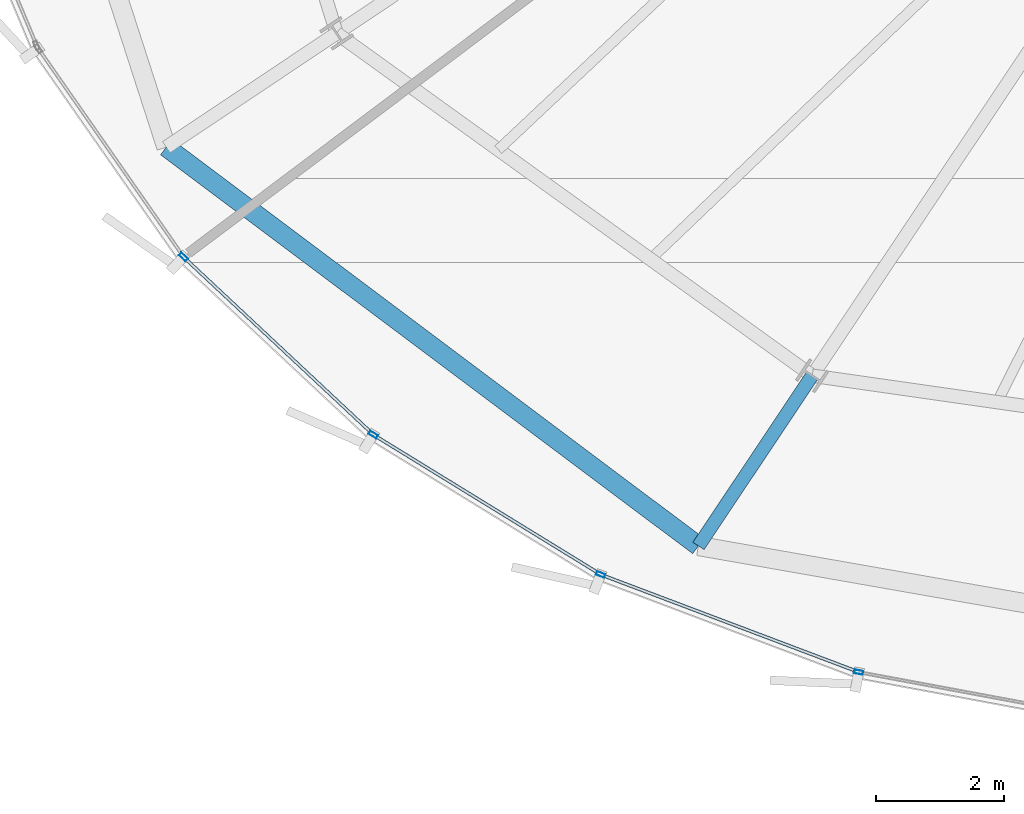
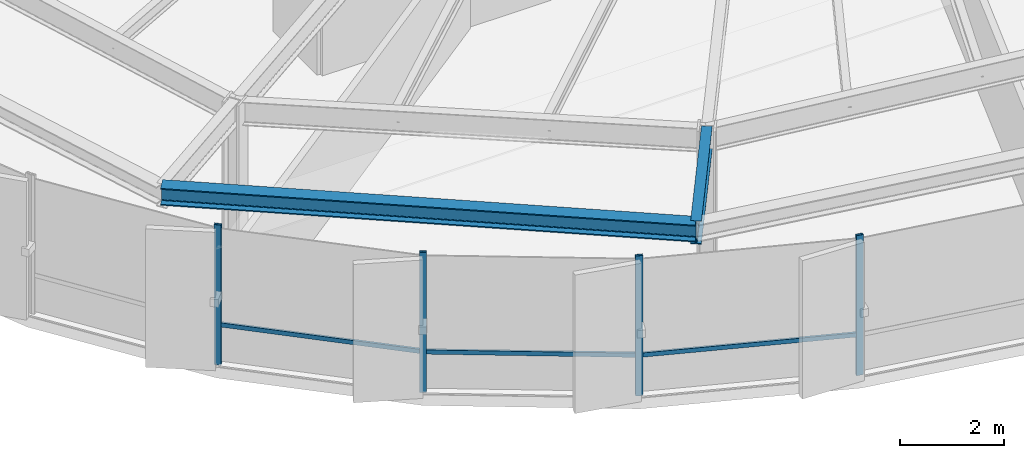
# One storey, part 2 of 36: 7 members, 2 beams, 1 element without a shape of its own.
"""IFC4 building model written with IfcOpenShell, lengths in metres."""

from ifc_helpers import new_model, si_unit, direction, frame, origin, origin_2d, place, context, subcontext, project, spatial, hollow_rectangle, i_section, extrude, source, transform, mapped, material, layer, layer_set, material_profile, profile_set, type_object, element, aggregate, save


model = new_model("IFC4")

# Units and contexts
model_context = context("Model", 3, precision=1e-05, world=origin(), true_north=direction((0.0, 1.0)))
body_context = subcontext(model_context, "Body", "Model", "MODEL_VIEW")
ifc_project = project(units=[si_unit("LENGTHUNIT", "METRE"), si_unit("AREAUNIT", "SQUARE_METRE"), si_unit("VOLUMEUNIT", "CUBIC_METRE"), si_unit("PLANEANGLEUNIT", "RADIAN"), si_unit("MASSUNIT", "GRAM", prefix="KILO"), si_unit("THERMODYNAMICTEMPERATUREUNIT", "KELVIN")], contexts=[model_context])

# Site, building, storey
site_placement = place(None, origin())
site = spatial("IfcSite", under=ifc_project, at=site_placement, CompositionType="ELEMENT")
building_placement = place(site_placement, origin())
building = spatial("IfcBuilding", under=site, at=building_placement, Name="Kethvar Cultural Tower", CompositionType="ELEMENT")
storey_placement = place(building_placement, frame((0.0, 0.0, 150.10009765625)))
storey = spatial("IfcBuildingStorey", under=building, at=storey_placement, Name="L38", CompositionType="ELEMENT", Elevation=150.10009765625)

# Beams
ifc_material_1 = material(Name="Steel S355J2", Category="steel")
ifc_material_profile_1 = material_profile(ifc_material_1, i_section(OverallWidth=0.2099609375, OverallDepth=0.550048828125, WebThickness=0.010986328125, FlangeThickness=0.01708984375, FilletRadius=0.02392578125, at=origin_2d()), Name="Steel S355J2 — IPE550")
ifc_profile_set_1 = profile_set([ifc_material_profile_1], Name="Steel S355J2 — IPE550")
beam_type_1 = type_object("IfcBeamType", Name="BM-IPE550", PredefinedType="BEAM", material=ifc_profile_set_1)
shared_shape_1 = source(origin(), body_context, "Body", "SweptSolid", [
    extrude(i_section(OverallWidth=0.2099609375, OverallDepth=0.550048828125, WebThickness=0.010986328125, FlangeThickness=0.01708984375, FilletRadius=0.02392578125, at=origin_2d()), origin(), (0.0, 0.0, 1.0), 3.199951171875),
])
beam_1_placement = place(storey_placement, frame((34.350830078125, 9.16845703125, 3.02294921875), z_axis=(-0.555580212716, -0.831462943996, 0.0), x_axis=(0.831462943996, -0.555580212716, 0.0)))
element("IfcBeam", 1, at=beam_1_placement, inside=storey, type_object=beam_type_1, Name="L38 Perimeter Cantilever Beam RC-11", PredefinedType="BEAM", context=body_context, shape_type="MappedRepresentation", body=[
    mapped(shared_shape_1, transform((0.0, 0.0, 0.0), scale=1.0)),
])
ifc_material_profile_2 = material_profile(ifc_material_1, i_section(OverallWidth=0.300048828125, OverallDepth=0.39990234375, WebThickness=0.013427734375, FlangeThickness=0.02392578125, FilletRadius=0.027099609375, at=origin_2d()), Name="Steel S355J2 — HEB400")
ifc_profile_set_2 = profile_set([ifc_material_profile_2], Name="Steel S355J2 — HEB400")
beam_type_2 = type_object("IfcBeamType", Name="BM-SP400", PredefinedType="SPANDREL", material=ifc_profile_set_2)
shared_shape_2 = source(origin(), body_context, "Body", "SweptSolid", [
    extrude(i_section(OverallWidth=0.300048828125, OverallDepth=0.39990234375, WebThickness=0.013427734375, FlangeThickness=0.02392578125, FilletRadius=0.027099609375, at=origin_2d()), origin(), (0.0, 0.0, 1.0), 10.38916015625),
])
beam_2_placement = place(storey_placement, frame((24.260009765625, 12.7392578125, 3.097900390625), z_axis=(0.800152249906, -0.599796946449, 0.0), x_axis=(0.599796946449, 0.800152249906, 0.0)))
element("IfcBeam", 2, at=beam_2_placement, inside=storey, type_object=beam_type_2, Name="L38 Perimeter Spandrel Beam SP-10", PredefinedType="SPANDREL", context=body_context, shape_type="MappedRepresentation", body=[
    mapped(shared_shape_2, transform((0.0, 0.0, 0.0), scale=1.0)),
])

# Curtain wall, members
ifc_material_2 = material(Name="Aluminium 6063-T6", Category="aluminium")
ifc_layer = layer(ifc_material_2, 0.179931640625, Name="Aluminium 6063-T6", Category="aluminium")
ifc_layer_set = layer_set([ifc_layer], Name="Aluminium 6063-T6 (180 mm)")
curtain_wall_type = type_object("IfcCurtainWallType", Name="CW-SYS-04-Z34", PredefinedType="NOTDEFINED", material=ifc_layer_set)
curtain_wall_placement = place(storey_placement, origin())
curtain_wall = element("IfcCurtainWall", 3, at=curtain_wall_placement, inside=storey, type_object=curtain_wall_type, Name="L38 Curtain Wall Run 04", PredefinedType="NOTDEFINED")
ifc_material_profile_3 = material_profile(ifc_material_2, hollow_rectangle(XDim=0.06005859375, YDim=0.139892578125, WallThickness=0.0048828125, at=origin_2d()), Name="Aluminium 6063-T6 — RHS140x60x5")
ifc_profile_set_3 = profile_set([ifc_material_profile_3], Name="Aluminium 6063-T6 — RHS140x60x5")
member_type_1 = type_object("IfcMemberType", Name="CW-SYS-04-Z34-MUL", PredefinedType="MULLION", material=ifc_profile_set_3)
shared_shape_3 = source(origin(), body_context, "Body", "SweptSolid", [
    extrude(hollow_rectangle(XDim=0.06005859375, YDim=0.139892578125, WallThickness=0.0048828125, at=origin_2d()), origin(), (0.0, 0.0, 1.0), 3.2998046875),
])
member_1_placement = place(storey_placement, frame((24.527099609375, 11.0244140625, 0.0), z_axis=(0.0, 0.0, 1.0), x_axis=(0.683261029841, 0.730174201887, 0.0)))
member_1 = element("IfcMember", 4, at=member_1_placement, type_object=member_type_1, Name="CW-L38-R04 Mullion 2", PredefinedType="MULLION", context=body_context, shape_type="MappedRepresentation", body=[
    mapped(shared_shape_3, transform((0.0, 0.0, 0.0), scale=1.0)),
])
member_2_placement = place(storey_placement, frame((27.4921875, 8.24658203125, 0.0), z_axis=(0.0, 0.0, 1.0), x_axis=(0.523510130213, 0.852019450226, 0.0)))
member_2 = element("IfcMember", 5, at=member_2_placement, type_object=member_type_1, Name="CW-L38-R04 Mullion 3", PredefinedType="MULLION", context=body_context, shape_type="MappedRepresentation", body=[
    mapped(shared_shape_3, transform((0.0, 0.0, 0.0), scale=1.0)),
])
member_3_placement = place(storey_placement, frame((31.044677734375, 6.0615234375, 0.0), z_axis=(0.0, 0.0, 1.0), x_axis=(0.353442190407, 0.93545636886, 0.0)))
member_3 = element("IfcMember", 6, at=member_3_placement, type_object=member_type_1, Name="CW-L38-R04 Mullion 4", PredefinedType="MULLION", context=body_context, shape_type="MappedRepresentation", body=[
    mapped(shared_shape_3, transform((0.0, 0.0, 0.0), scale=1.0)),
])
member_4_placement = place(storey_placement, frame((35.076904296875, 4.5361328125, 0.0), z_axis=(0.0, 0.0, 1.0), x_axis=(0.183007715805, 0.983111476871, 0.0)))
member_4 = element("IfcMember", 7, at=member_4_placement, type_object=member_type_1, Name="CW-L38-R04 Mullion 5", PredefinedType="MULLION", context=body_context, shape_type="MappedRepresentation", body=[
    mapped(shared_shape_3, transform((0.0, 0.0, 0.0), scale=1.0)),
])
ifc_material_profile_4 = material_profile(ifc_material_2, hollow_rectangle(XDim=0.050048828125, YDim=0.10009765625, WallThickness=0.00390625, at=origin_2d()), Name="Aluminium 6063-T6 — RHS100x50x4")
ifc_profile_set_4 = profile_set([ifc_material_profile_4], Name="Aluminium 6063-T6 — RHS100x50x4")
member_type_2 = type_object("IfcMemberType", Name="CW-SYS-04-Z34-TRN", PredefinedType="USERDEFINED", material=ifc_profile_set_4)
shared_shape_4 = source(origin(), body_context, "Body", "SweptSolid", [
    extrude(hollow_rectangle(XDim=0.050048828125, YDim=0.10009765625, WallThickness=0.00390625, at=origin_2d()), origin(), (0.0, 0.0, 1.0), 4.244140625),
])
member_5_placement = place(storey_placement, frame((31.085205078125, 6.046142578125, 0.949951171875), z_axis=(0.935461105416, -0.353429653897, 0.0), x_axis=(0.353429653897, 0.935461105416, 0.0)))
member_5 = element("IfcMember", 8, at=member_5_placement, type_object=member_type_2, Name="CW-L38-R04 Transom 4", ObjectType="TRANSOM", PredefinedType="USERDEFINED", context=body_context, shape_type="MappedRepresentation", body=[
    mapped(shared_shape_4, transform((0.0, 0.0, 0.0), scale=1.0)),
])
shared_shape_5 = source(origin(), body_context, "Body", "SweptSolid", [
    extrude(hollow_rectangle(XDim=0.050048828125, YDim=0.10009765625, WallThickness=0.00390625, at=origin_2d()), origin(), (0.0, 0.0, 1.0), 4.10498046875),
])
member_6_placement = place(storey_placement, frame((27.529052734375, 8.22412109375, 0.949951171875), z_axis=(0.852003225807, -0.523536534747, 0.0), x_axis=(0.523536534747, 0.852003225807, 0.0)))
member_6 = element("IfcMember", 9, at=member_6_placement, type_object=member_type_2, Name="CW-L38-R04 Transom 3", ObjectType="TRANSOM", PredefinedType="USERDEFINED", context=body_context, shape_type="MappedRepresentation", body=[
    mapped(shared_shape_5, transform((0.0, 0.0, 0.0), scale=1.0)),
])
shared_shape_6 = source(origin(), body_context, "Body", "SweptSolid", [
    extrude(hollow_rectangle(XDim=0.050048828125, YDim=0.10009765625, WallThickness=0.00390625, at=origin_2d()), origin(), (0.0, 0.0, 1.0), 3.998779296875),
])
member_7_placement = place(storey_placement, frame((24.55859375, 10.994873046875, 0.949951171875), z_axis=(0.73016332047, -0.683272658197, 0.0), x_axis=(0.683272658197, 0.73016332047, 0.0)))
member_7 = element("IfcMember", 10, at=member_7_placement, type_object=member_type_2, Name="CW-L38-R04 Transom 2", ObjectType="TRANSOM", PredefinedType="USERDEFINED", context=body_context, shape_type="MappedRepresentation", body=[
    mapped(shared_shape_6, transform((0.0, 0.0, 0.0), scale=1.0)),
])
aggregate(curtain_wall, [member_1, member_2, member_3, member_4, member_7, member_6, member_5])

save(model, "model.ifc")
